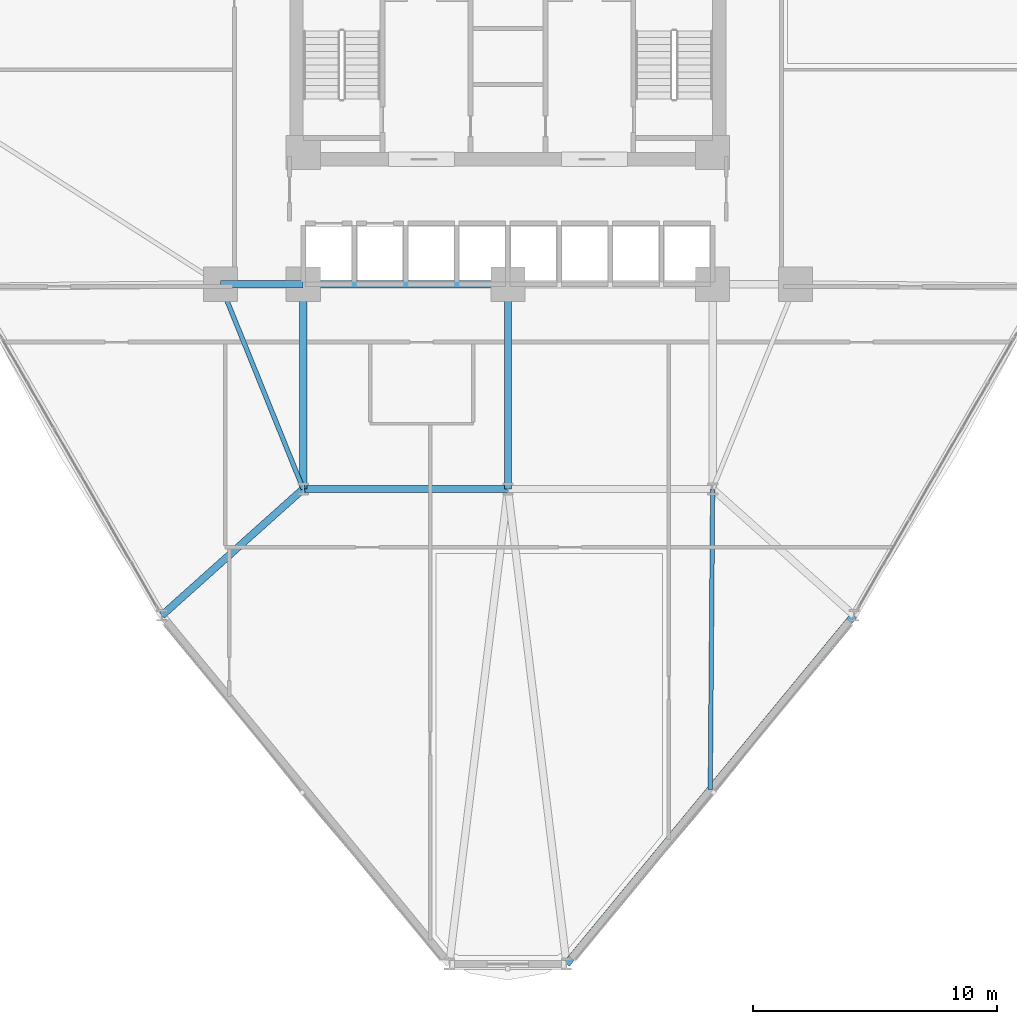
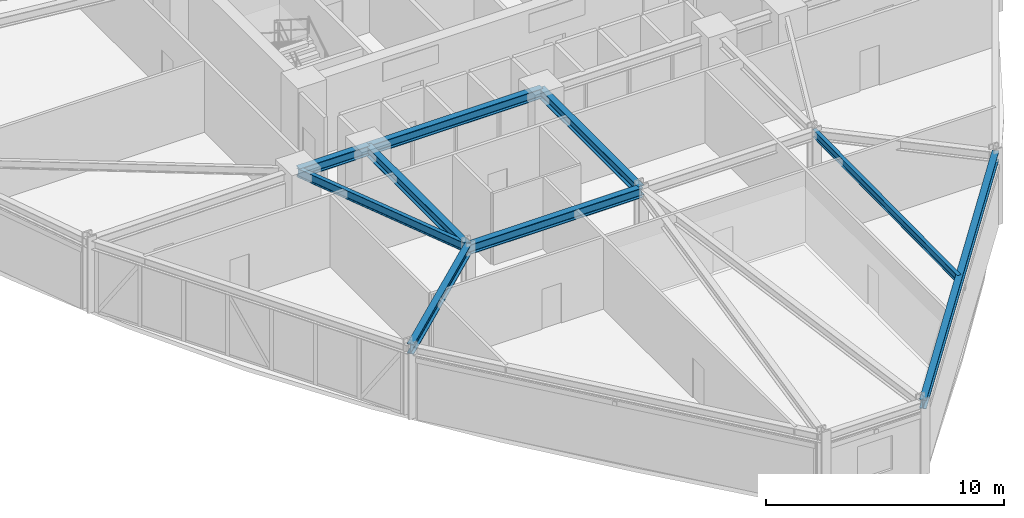
# One storey, part 5 of 22: 9 beams.
"""IFC4 building model written with IfcOpenShell, lengths in metres."""

from ifc_helpers import new_model, si_unit, derived_unit, direction, frame, origin, origin_2d, place, context, subcontext, project, spatial, i_section, extrude, source, transform, mapped, material, material_profile, profile_set, type_object, element, save


model = new_model("IFC4")

# Units and contexts
model_context = context("Model", 3, precision=1e-05, world=origin(), true_north=direction((0.0, 1.0)))
body_context = subcontext(model_context, "Body", "Model", "MODEL_VIEW")
ifc_project = project(units=[si_unit("LENGTHUNIT", "METRE"), si_unit("AREAUNIT", "SQUARE_METRE"), si_unit("VOLUMEUNIT", "CUBIC_METRE"), si_unit("PLANEANGLEUNIT", "RADIAN"), si_unit("MASSUNIT", "GRAM", prefix="KILO"), derived_unit("THERMALTRANSMITTANCEUNIT", [(si_unit("POWERUNIT", "WATT"), 1), (si_unit("LENGTHUNIT", "METRE"), -2), (si_unit("THERMODYNAMICTEMPERATUREUNIT", "KELVIN"), -1)])], contexts=[model_context])

# Site, building, storey
site_placement = place(None, origin())
site = spatial("IfcSite", under=ifc_project, at=site_placement, CompositionType="ELEMENT")
building_placement = place(site_placement, origin())
building = spatial("IfcBuilding", under=site, at=building_placement, Name="Korsvarv Bourse and Concert Hall", CompositionType="ELEMENT")
storey_placement = place(building_placement, frame((0.0, 0.0, 51.300048828125)))
storey = spatial("IfcBuildingStorey", under=building, at=storey_placement, Name="L12", CompositionType="ELEMENT", Elevation=51.300048828125)

# Beams
ifc_material = material(Name="Steel S355", Category="steel")
ifc_material_profile_1 = material_profile(ifc_material, i_section(OverallWidth=0.300048828125, OverallDepth=0.5, WebThickness=0.014404296875, FlangeThickness=0.028076171875, FilletRadius=0.02392578125, at=origin_2d()), Name="HEB 500")
ifc_profile_set_1 = profile_set([ifc_material_profile_1], Name="Steel S355")
beam_type_1 = type_object("IfcBeamType", Name="BM-HEB500", PredefinedType="BEAM", material=ifc_profile_set_1)
shared_shape_1 = source(origin(), body_context, "Body", "SweptSolid", [
    extrude(i_section(OverallWidth=0.300048828125, OverallDepth=0.5, WebThickness=0.014404296875, FlangeThickness=0.028076171875, FilletRadius=0.02392578125, at=origin_2d()), origin(), (0.0, 0.0, 1.0), 3.400146484375),
])
beam_1_placement = place(storey_placement, frame((24.199951171875, 32.39990234375, 3.429931640625), z_axis=(1.0, 0.0, 0.0), x_axis=(0.0, 1.0, 0.0)))
element("IfcBeam", 1, at=beam_1_placement, inside=storey, type_object=beam_type_1, Name="L12 beam B-07", PredefinedType="BEAM", context=body_context, shape_type="MappedRepresentation", body=[
    mapped(shared_shape_1, transform((0.0, 0.0, 0.0), scale=1.0)),
])
shared_shape_2 = source(origin(), body_context, "Body", "SweptSolid", [
    extrude(i_section(OverallWidth=0.300048828125, OverallDepth=0.5, WebThickness=0.014404296875, FlangeThickness=0.028076171875, FilletRadius=0.02392578125, at=origin_2d()), origin(), (0.0, 0.0, 1.0), 8.39990234375),
])
for number, where, z_axis, x_axis, name in (
    (2, (27.60009765625, 32.39990234375, 3.429931640625), (1.0, 0.0, 0.0), (0.0, 1.0, 0.0), "L12 beam B-07"),
    (3, (27.60009765625, 24.0, 3.429931640625), (1.0, 0.0, 0.0), (0.0, 1.0, 0.0), "L12 beam B-07"),
    (4, (27.60009765625, 24.0, 3.429931640625), (0.0, 1.0, 0.0), (-1.0, 0.0, 0.0), "L12 beam B-07"),
    (5, (36.0, 24.0, 3.429931640625), (0.0, 1.0, 0.0), (-1.0, 0.0, 0.0), "L12 beam B-07"),
):
    element("IfcBeam", number, at=place(storey_placement, frame(where, z_axis=z_axis, x_axis=x_axis)), inside=storey, type_object=beam_type_1, Name=name, PredefinedType="BEAM", context=body_context, shape_type="MappedRepresentation", body=[
        mapped(shared_shape_2, transform((0.0, 0.0, 0.0), scale=1.0)),
    ])
ifc_material_profile_2 = material_profile(ifc_material, i_section(OverallWidth=0.18994140625, OverallDepth=0.449951171875, WebThickness=0.009521484375, FlangeThickness=0.0146484375, FilletRadius=0.02099609375, at=origin_2d()), Name="IPE 450")
ifc_profile_set_2 = profile_set([ifc_material_profile_2], Name="Steel S355")
beam_type_2 = type_object("IfcBeamType", Name="BM-IPE450", PredefinedType="JOIST", material=ifc_profile_set_2)
shared_shape_3 = source(origin(), body_context, "Body", "SweptSolid", [
    extrude(i_section(OverallWidth=0.18994140625, OverallDepth=0.449951171875, WebThickness=0.009521484375, FlangeThickness=0.0146484375, FilletRadius=0.02099609375, at=origin_2d()), origin(), (0.0, 0.0, 1.0), 9.06201171875),
])
beam_2_placement = place(storey_placement, frame((24.199951171875, 32.39990234375, 3.454833984375), z_axis=(0.375210394783, -0.926939674222, 0.0), x_axis=(0.926939674222, 0.375210394783, 0.0)))
element("IfcBeam", 6, at=beam_2_placement, inside=storey, type_object=beam_type_2, Name="L12 beam J-04", PredefinedType="JOIST", context=body_context, shape_type="MappedRepresentation", body=[
    mapped(shared_shape_3, transform((0.0, 0.0, 0.0), scale=1.0)),
])
ifc_material_profile_3 = material_profile(ifc_material, i_section(OverallWidth=0.300048828125, OverallDepth=0.449951171875, WebThickness=0.013916015625, FlangeThickness=0.02587890625, FilletRadius=0.02099609375, at=origin_2d()), Name="HEB 450")
ifc_profile_set_3 = profile_set([ifc_material_profile_3], Name="Steel S355")
beam_type_3 = type_object("IfcBeamType", Name="BM-HEB450", PredefinedType="SPANDREL", material=ifc_profile_set_3)
shared_shape_4 = source(origin(), body_context, "Body", "SweptSolid", [
    extrude(i_section(OverallWidth=0.300048828125, OverallDepth=0.449951171875, WebThickness=0.013916015625, FlangeThickness=0.02587890625, FilletRadius=0.02099609375, at=origin_2d()), origin(), (0.0, 0.0, 1.0), 18.5390625),
])
beam_3_placement = place(storey_placement, frame((38.4052734375, 4.509033203125, 3.454833984375), z_axis=(0.636127669923, 0.771583817585, 0.0), x_axis=(-0.771583817585, 0.636127669923, 0.0)))
element("IfcBeam", 7, at=beam_3_placement, inside=storey, type_object=beam_type_3, Name="L12 beam B-08", PredefinedType="SPANDREL", context=body_context, shape_type="MappedRepresentation", body=[
    mapped(shared_shape_4, transform((0.0, 0.0, 0.0), scale=1.0)),
])
shared_shape_5 = source(origin(), body_context, "Body", "SweptSolid", [
    extrude(i_section(OverallWidth=0.300048828125, OverallDepth=0.5, WebThickness=0.014404296875, FlangeThickness=0.028076171875, FilletRadius=0.02392578125, at=origin_2d()), origin(), (0.0, 0.0, 1.0), 7.77978515625),
])
beam_4_placement = place(storey_placement, frame((21.801513671875, 18.8134765625, 3.429931640625), z_axis=(0.745348822667, 0.666674682697, 0.0), x_axis=(-0.666674682697, 0.745348822667, 0.0)))
element("IfcBeam", 8, at=beam_4_placement, inside=storey, type_object=beam_type_1, Name="L12 beam B-07", PredefinedType="BEAM", context=body_context, shape_type="MappedRepresentation", body=[
    mapped(shared_shape_5, transform((0.0, 0.0, 0.0), scale=1.0)),
])
ifc_material_profile_4 = material_profile(ifc_material, i_section(OverallWidth=0.179931640625, OverallDepth=0.39990234375, WebThickness=0.008544921875, FlangeThickness=0.013427734375, FilletRadius=0.02099609375, at=origin_2d()), Name="IPE 400")
ifc_profile_set_4 = profile_set([ifc_material_profile_4], Name="Steel S355")
beam_type_4 = type_object("IfcBeamType", Name="BM-IPE400", PredefinedType="JOIST", material=ifc_profile_set_4)
shared_shape_6 = source(origin(), body_context, "Body", "SweptSolid", [
    extrude(i_section(OverallWidth=0.179931640625, OverallDepth=0.39990234375, WebThickness=0.008544921875, FlangeThickness=0.013427734375, FilletRadius=0.02099609375, at=origin_2d()), origin(), (0.0, 0.0, 1.0), 12.339111328125),
])
beam_5_placement = place(storey_placement, frame((44.302001953125, 11.661376953125, 3.47998046875), z_axis=(0.007934216703, 0.999968523607, 0.0), x_axis=(-0.999968523607, 0.007934216703, 0.0)))
element("IfcBeam", 9, at=beam_5_placement, inside=storey, type_object=beam_type_4, Name="L12 beam J-05", PredefinedType="JOIST", context=body_context, shape_type="MappedRepresentation", body=[
    mapped(shared_shape_6, transform((0.0, 0.0, 0.0), scale=1.0)),
])

save(model, "model.ifc")
